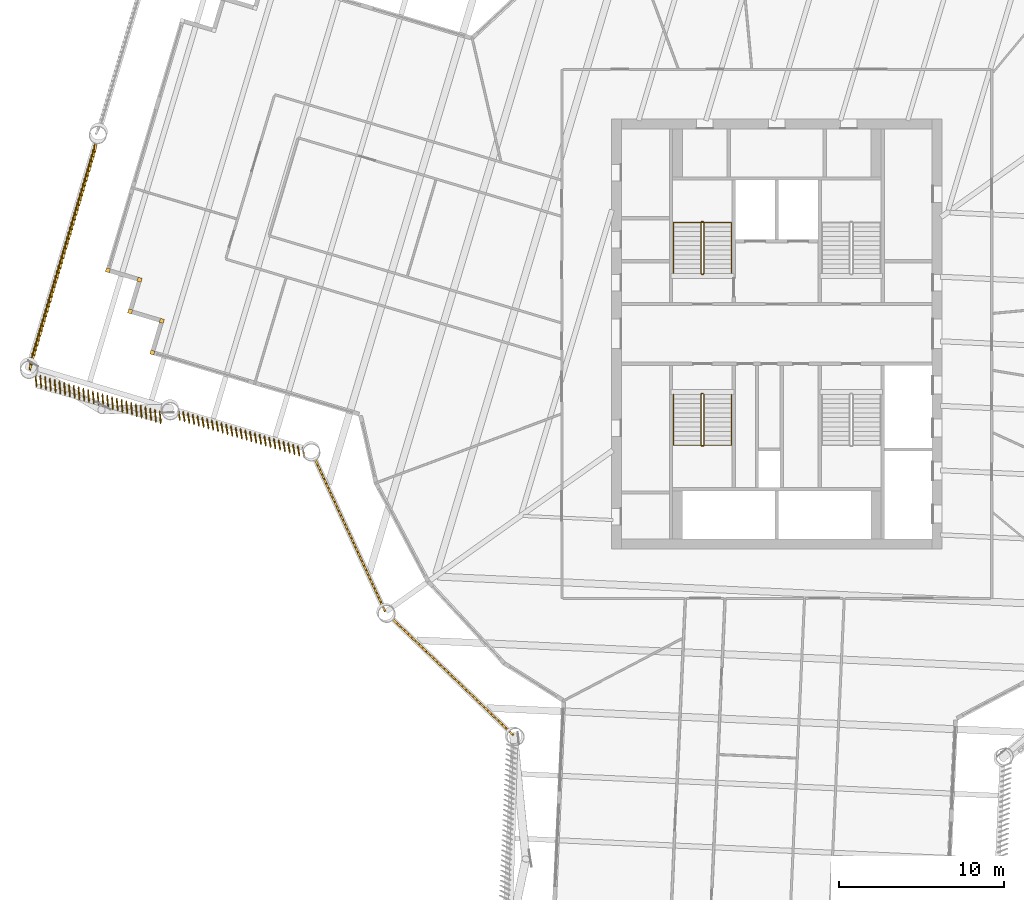
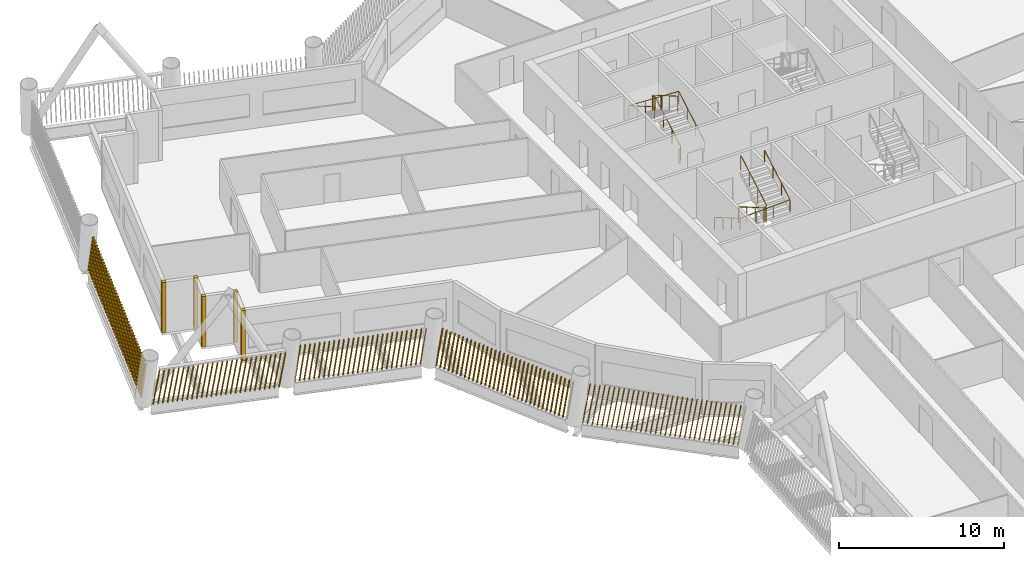
# One storey, part 21 of 24: 10 shading devices, 4 railings.
"""IFC4 building model written with IfcOpenShell, lengths in metres."""

from ifc_helpers import new_model, si_unit, direction, frame, frame_2d, origin, origin_2d, place, context, subcontext, project, spatial, rectangle, circle, composite_profile, extrude, material, type_object, element, save


model = new_model("IFC4")

# Units and contexts
model_context = context("Model", 3, precision=1e-05, world=origin(), true_north=direction((0.0, 1.0)))
body_context = subcontext(model_context, "Body", "Model", "MODEL_VIEW")
ifc_project = project(units=[si_unit("LENGTHUNIT", "METRE"), si_unit("AREAUNIT", "SQUARE_METRE"), si_unit("VOLUMEUNIT", "CUBIC_METRE"), si_unit("PLANEANGLEUNIT", "RADIAN"), si_unit("MASSUNIT", "GRAM", prefix="KILO")], contexts=[model_context])

# Site, building, storey
site_placement = place(None, origin())
site = spatial("IfcSite", under=ifc_project, at=site_placement, CompositionType="ELEMENT")
building_placement = place(site_placement, origin())
building = spatial("IfcBuilding", under=site, at=building_placement, Name="Tarsis Ring Headquarters", CompositionType="ELEMENT")
storey_placement = place(building_placement, frame((0.0, 0.0, 216.0)))
storey = spatial("IfcBuildingStorey", under=building, at=storey_placement, Name="L50", CompositionType="ELEMENT", Elevation=216.0)

# Railings
ifc_material_1 = material(Name="Steel S355", Category="steel")
railing_type_1 = type_object("IfcRailingType", Name="Core stair guard 1100", PredefinedType="GUARDRAIL", material=ifc_material_1)
railing_1_placement = place(storey_placement, frame((-4.5400390625, 3.610107421875, 0.0)))
element("IfcRailing", 1, at=railing_1_placement, inside=storey, type_object=railing_type_1, Name="L50 ST1 stair guard 1", PredefinedType="GUARDRAIL", context=body_context, shape_type="SweptSolid", body=[
    extrude(circle(Radius=0.02392578125, at=origin_2d()), frame((0.0, 0.0, 1.076171875), z_axis=(1.0, 0.0, 0.0), x_axis=(0.0, 1.0, 0.0)), (0.0, 0.0, 1.0), 0.080078125),
    extrude(circle(Radius=0.02392578125, at=origin_2d()), frame((0.080078125, 0.0, 1.076171875), z_axis=(0.282336740067, 0.280959487676, 0.917250092119), x_axis=(-0.705375805398, 0.708833529934, 0.0)), (0.0, 0.0, 1.0), 0.17724609375),
    extrude(circle(Radius=0.02392578125, at=origin_2d()), frame((0.130126953125, 0.0498046875, 1.23876953125), z_axis=(0.0, 0.864920483161, 0.501908913857), x_axis=(-1.0, 0.0, 0.0)), (0.0, 0.0, 1.0), 3.56103515625),
    extrude(circle(Radius=0.02392578125, at=origin_2d()), frame((0.130126953125, 3.1298828125, 3.02587890625), z_axis=(-0.707106781187, 0.707106781187, 0.0), x_axis=(-0.707106781187, -0.707106781187, 0.0)), (0.0, 0.0, 1.0), 0.07080078125),
    extrude(circle(Radius=0.02392578125, at=origin_2d()), frame((0.080078125, 3.179931640625, 3.02587890625), z_axis=(-1.0, 0.0, 0.0), x_axis=(0.0, -1.0, 0.0)), (0.0, 0.0, 1.0), 0.080078125),
    extrude(circle(Radius=0.02392578125, at=origin_2d()), frame((0.0, 3.179931640625, 3.02587890625), z_axis=(-0.282227285176, -0.282227285176, 0.916894497205), x_axis=(0.707106781187, -0.707106781187, 0.0)), (0.0, 0.0, 1.0), 0.17724609375),
    extrude(circle(Radius=0.02392578125, at=origin_2d()), frame((-0.050048828125, 3.1298828125, 3.1884765625), z_axis=(0.0, -0.864920483161, 0.501908913857), x_axis=(1.0, 0.0, 0.0)), (0.0, 0.0, 1.0), 3.56103515625),
    extrude(circle(Radius=0.02099609375, at=origin_2d()), origin(), (0.0, 0.0, 1.0), 1.052001953125),
    extrude(circle(Radius=0.02099609375, at=origin_2d()), frame((0.080078125, 0.0, 0.0)), (0.0, 0.0, 1.0), 1.052001953125),
    extrude(circle(Radius=0.02099609375, at=origin_2d()), frame((0.130126953125, 0.0498046875, 0.16259765625)), (0.0, 0.0, 1.0), 1.052001953125),
    extrude(circle(Radius=0.02099609375, at=origin_2d()), frame((0.130126953125, 1.076416015625, 0.75830078125)), (0.0, 0.0, 1.0), 1.052001953125),
    extrude(circle(Radius=0.02099609375, at=origin_2d()), frame((0.130126953125, 2.103271484375, 1.354248046875)), (0.0, 0.0, 1.0), 1.052001953125),
    extrude(circle(Radius=0.02099609375, at=origin_2d()), frame((0.130126953125, 3.1298828125, 1.949951171875)), (0.0, 0.0, 1.0), 1.052001953125),
    extrude(circle(Radius=0.02099609375, at=origin_2d()), frame((0.080078125, 3.179931640625, 1.949951171875)), (0.0, 0.0, 1.0), 1.052001953125),
    extrude(circle(Radius=0.02099609375, at=origin_2d()), frame((0.0, 3.179931640625, 1.949951171875)), (0.0, 0.0, 1.0), 1.052001953125),
    extrude(circle(Radius=0.02099609375, at=origin_2d()), frame((-0.050048828125, 3.1298828125, 2.112548828125)), (0.0, 0.0, 1.0), 1.052001953125),
    extrude(circle(Radius=0.02099609375, at=origin_2d()), frame((-0.050048828125, 2.103271484375, 2.708251953125)), (0.0, 0.0, 1.0), 1.052001953125),
    extrude(circle(Radius=0.02099609375, at=origin_2d()), frame((-0.050048828125, 1.076416015625, 3.30419921875)), (0.0, 0.0, 1.0), 1.052001953125),
    extrude(circle(Radius=0.02099609375, at=origin_2d()), frame((-0.050048828125, 0.0498046875, 3.89990234375)), (0.0, 0.0, 1.0), 1.052001953125),
])
railing_2_placement = place(storey_placement, frame((-4.4599609375, -3.610107421875, 0.0)))
element("IfcRailing", 2, at=railing_2_placement, inside=storey, type_object=railing_type_1, Name="L50 ST3 stair guard 1", PredefinedType="GUARDRAIL", context=body_context, shape_type="SweptSolid", body=[
    extrude(circle(Radius=0.02392578125, at=origin_2d()), frame((0.0, 0.0, 1.076171875), z_axis=(-1.0, 0.0, 0.0), x_axis=(0.0, -1.0, 0.0)), (0.0, 0.0, 1.0), 0.080078125),
    extrude(circle(Radius=0.02392578125, at=origin_2d()), frame((-0.080078125, 0.0, 1.076171875), z_axis=(-0.282336740067, -0.280959487676, 0.917250092119), x_axis=(0.705375805398, -0.708833529934, 0.0)), (0.0, 0.0, 1.0), 0.17724609375),
    extrude(circle(Radius=0.02392578125, at=origin_2d()), frame((-0.130126953125, -0.0498046875, 1.23876953125), z_axis=(0.0, -0.864920483161, 0.501908913857), x_axis=(1.0, 0.0, 0.0)), (0.0, 0.0, 1.0), 3.56103515625),
    extrude(circle(Radius=0.02392578125, at=origin_2d()), frame((-0.130126953125, -3.1298828125, 3.02587890625), z_axis=(0.707106781187, -0.707106781187, 0.0), x_axis=(0.707106781187, 0.707106781187, 0.0)), (0.0, 0.0, 1.0), 0.07080078125),
    extrude(circle(Radius=0.02392578125, at=origin_2d()), frame((-0.080078125, -3.179931640625, 3.02587890625), z_axis=(1.0, 0.0, 0.0), x_axis=(0.0, 1.0, 0.0)), (0.0, 0.0, 1.0), 0.080078125),
    extrude(circle(Radius=0.02392578125, at=origin_2d()), frame((0.0, -3.179931640625, 3.02587890625), z_axis=(0.282227285176, 0.282227285176, 0.916894497205), x_axis=(-0.707106781187, 0.707106781187, 0.0)), (0.0, 0.0, 1.0), 0.17724609375),
    extrude(circle(Radius=0.02392578125, at=origin_2d()), frame((0.050048828125, -3.1298828125, 3.1884765625), z_axis=(0.0, 0.864920483161, 0.501908913857), x_axis=(-1.0, 0.0, 0.0)), (0.0, 0.0, 1.0), 3.56103515625),
    extrude(circle(Radius=0.02099609375, at=origin_2d()), origin(), (0.0, 0.0, 1.0), 1.052001953125),
    extrude(circle(Radius=0.02099609375, at=origin_2d()), frame((-0.080078125, 0.0, 0.0)), (0.0, 0.0, 1.0), 1.052001953125),
    extrude(circle(Radius=0.02099609375, at=origin_2d()), frame((-0.130126953125, -0.0498046875, 0.16259765625)), (0.0, 0.0, 1.0), 1.052001953125),
    extrude(circle(Radius=0.02099609375, at=origin_2d()), frame((-0.130126953125, -1.076416015625, 0.75830078125)), (0.0, 0.0, 1.0), 1.052001953125),
    extrude(circle(Radius=0.02099609375, at=origin_2d()), frame((-0.130126953125, -2.103271484375, 1.354248046875)), (0.0, 0.0, 1.0), 1.052001953125),
    extrude(circle(Radius=0.02099609375, at=origin_2d()), frame((-0.130126953125, -3.1298828125, 1.949951171875)), (0.0, 0.0, 1.0), 1.052001953125),
    extrude(circle(Radius=0.02099609375, at=origin_2d()), frame((-0.080078125, -3.179931640625, 1.949951171875)), (0.0, 0.0, 1.0), 1.052001953125),
    extrude(circle(Radius=0.02099609375, at=origin_2d()), frame((0.0, -3.179931640625, 1.949951171875)), (0.0, 0.0, 1.0), 1.052001953125),
    extrude(circle(Radius=0.02099609375, at=origin_2d()), frame((0.050048828125, -3.1298828125, 2.112548828125)), (0.0, 0.0, 1.0), 1.052001953125),
    extrude(circle(Radius=0.02099609375, at=origin_2d()), frame((0.050048828125, -2.103271484375, 2.708251953125)), (0.0, 0.0, 1.0), 1.052001953125),
    extrude(circle(Radius=0.02099609375, at=origin_2d()), frame((0.050048828125, -1.076416015625, 3.30419921875)), (0.0, 0.0, 1.0), 1.052001953125),
    extrude(circle(Radius=0.02099609375, at=origin_2d()), frame((0.050048828125, -0.0498046875, 3.89990234375)), (0.0, 0.0, 1.0), 1.052001953125),
])
railing_type_2 = type_object("IfcRailingType", Name="Core stair handrail 900", PredefinedType="HANDRAIL", material=ifc_material_1)
railing_3_placement = place(storey_placement, frame((-2.75, 3.659912109375, 0.16259765625)))
element("IfcRailing", 3, at=railing_3_placement, inside=storey, type_object=railing_type_2, Name="L50 ST1 stair handrail 1", PredefinedType="HANDRAIL", context=body_context, shape_type="SweptSolid", body=[
    extrude(circle(Radius=0.02392578125, at=origin_2d()), frame((0.0, 0.0, 0.8759765625), z_axis=(0.0, 0.864920483161, 0.501908913857), x_axis=(-1.0, 0.0, 0.0)), (0.0, 0.0, 1.0), 3.56103515625),
    extrude(circle(Radius=0.02392578125, at=origin_2d()), frame((0.0, 3.080078125, 2.6630859375), z_axis=(-0.998922641604, 0.0, 0.046406422943), x_axis=(0.0, -1.0, 0.0)), (0.0, 0.0, 1.0), 3.503662109375),
    extrude(circle(Radius=0.02392578125, at=origin_2d()), frame((-3.5, 3.080078125, 2.82568359375), z_axis=(0.0, -0.864920483161, 0.501908913857), x_axis=(1.0, 0.0, 0.0)), (0.0, 0.0, 1.0), 3.56103515625),
    extrude(circle(Radius=0.02099609375, at=origin_2d()), origin(), (0.0, 0.0, 1.0), 0.851806640625),
    extrude(circle(Radius=0.02099609375, at=origin_2d()), frame((0.0, 1.026611328125, 0.595703125)), (0.0, 0.0, 1.0), 0.851806640625),
    extrude(circle(Radius=0.02099609375, at=origin_2d()), frame((0.0, 2.053466796875, 1.191650390625)), (0.0, 0.0, 1.0), 0.851806640625),
    extrude(circle(Radius=0.02099609375, at=origin_2d()), frame((0.0, 3.080078125, 1.787353515625)), (0.0, 0.0, 1.0), 0.851806640625),
    extrude(circle(Radius=0.02099609375, at=origin_2d()), frame((-1.166748046875, 3.080078125, 1.841552734375)), (0.0, 0.0, 1.0), 0.851806640625),
    extrude(circle(Radius=0.02099609375, at=origin_2d()), frame((-2.333251953125, 3.080078125, 1.895751953125)), (0.0, 0.0, 1.0), 0.851806640625),
    extrude(circle(Radius=0.02099609375, at=origin_2d()), frame((-3.5, 3.080078125, 1.949951171875)), (0.0, 0.0, 1.0), 0.851806640625),
    extrude(circle(Radius=0.02099609375, at=origin_2d()), frame((-3.5, 2.053466796875, 2.545654296875)), (0.0, 0.0, 1.0), 0.851806640625),
    extrude(circle(Radius=0.02099609375, at=origin_2d()), frame((-3.5, 1.026611328125, 3.1416015625)), (0.0, 0.0, 1.0), 0.851806640625),
    extrude(circle(Radius=0.02099609375, at=origin_2d()), frame((-3.5, 0.0, 3.7373046875)), (0.0, 0.0, 1.0), 0.851806640625),
])
railing_4_placement = place(storey_placement, frame((-6.25, -3.659912109375, 0.16259765625)))
element("IfcRailing", 4, at=railing_4_placement, inside=storey, type_object=railing_type_2, Name="L50 ST3 stair handrail 1", PredefinedType="HANDRAIL", context=body_context, shape_type="SweptSolid", body=[
    extrude(circle(Radius=0.02392578125, at=origin_2d()), frame((0.0, 0.0, 0.8759765625), z_axis=(0.0, -0.864920483161, 0.501908913857), x_axis=(1.0, 0.0, 0.0)), (0.0, 0.0, 1.0), 3.56103515625),
    extrude(circle(Radius=0.02392578125, at=origin_2d()), frame((0.0, -3.080078125, 2.6630859375), z_axis=(0.998922641604, 0.0, 0.046406422943), x_axis=(0.0, 1.0, 0.0)), (0.0, 0.0, 1.0), 3.503662109375),
    extrude(circle(Radius=0.02392578125, at=origin_2d()), frame((3.5, -3.080078125, 2.82568359375), z_axis=(0.0, 0.864920483161, 0.501908913857), x_axis=(-1.0, 0.0, 0.0)), (0.0, 0.0, 1.0), 3.56103515625),
    extrude(circle(Radius=0.02099609375, at=origin_2d()), origin(), (0.0, 0.0, 1.0), 0.851806640625),
    extrude(circle(Radius=0.02099609375, at=origin_2d()), frame((0.0, -1.026611328125, 0.595703125)), (0.0, 0.0, 1.0), 0.851806640625),
    extrude(circle(Radius=0.02099609375, at=origin_2d()), frame((0.0, -2.053466796875, 1.191650390625)), (0.0, 0.0, 1.0), 0.851806640625),
    extrude(circle(Radius=0.02099609375, at=origin_2d()), frame((0.0, -3.080078125, 1.787353515625)), (0.0, 0.0, 1.0), 0.851806640625),
    extrude(circle(Radius=0.02099609375, at=origin_2d()), frame((1.166748046875, -3.080078125, 1.841552734375)), (0.0, 0.0, 1.0), 0.851806640625),
    extrude(circle(Radius=0.02099609375, at=origin_2d()), frame((2.333251953125, -3.080078125, 1.895751953125)), (0.0, 0.0, 1.0), 0.851806640625),
    extrude(circle(Radius=0.02099609375, at=origin_2d()), frame((3.5, -3.080078125, 1.949951171875)), (0.0, 0.0, 1.0), 0.851806640625),
    extrude(circle(Radius=0.02099609375, at=origin_2d()), frame((3.5, -2.053466796875, 2.545654296875)), (0.0, 0.0, 1.0), 0.851806640625),
    extrude(circle(Radius=0.02099609375, at=origin_2d()), frame((3.5, -1.026611328125, 3.1416015625)), (0.0, 0.0, 1.0), 0.851806640625),
    extrude(circle(Radius=0.02099609375, at=origin_2d()), frame((3.5, 0.0, 3.7373046875)), (0.0, 0.0, 1.0), 0.851806640625),
])

# Shading devices
ifc_material_2 = material(Name="Terracotta baguette", Category="masonry")
shading_device_type_1 = type_object("IfcShadingDeviceType", Name="Terracotta baguette screen", PredefinedType="USERDEFINED", material=ifc_material_2)
shading_device_1_placement = place(storey_placement, frame((-23.318115234375, -17.174072265625, 0.0), z_axis=(0.0, 0.0, 1.0), x_axis=(0.720374765771, -0.693591505309, 0.0)))
element("IfcShadingDevice", 5, at=shading_device_1_placement, inside=storey, type_object=shading_device_type_1, Name="Baguette screen L50-00", ObjectType="Terracotta baguette screen", PredefinedType="USERDEFINED", context=body_context, shape_type="SweptSolid", body=[
    extrude(composite_profile([rectangle(XDim=0.06005859375, YDim=0.1201171875, at=frame_2d((0.030029296875, 0.0))), rectangle(XDim=0.06005859375, YDim=0.1201171875, at=frame_2d((0.33349609375, 0.0))), rectangle(XDim=0.06005859375, YDim=0.1201171875, at=frame_2d((0.636962890625, 0.0))), rectangle(XDim=0.06005859375, YDim=0.1201171875, at=frame_2d((0.9404296875, 0.0))), rectangle(XDim=0.06005859375, YDim=0.1201171875, at=frame_2d((1.243896484375, 0.0))), rectangle(XDim=0.06005859375, YDim=0.1201171875, at=frame_2d((1.54736328125, 0.0))), rectangle(XDim=0.06005859375, YDim=0.1201171875, at=frame_2d((1.85107421875, 0.0))), rectangle(XDim=0.06005859375, YDim=0.1201171875, at=frame_2d((2.154541015625, 0.0))), rectangle(XDim=0.06005859375, YDim=0.1201171875, at=frame_2d((2.4580078125, 0.0))), rectangle(XDim=0.06005859375, YDim=0.1201171875, at=frame_2d((2.761474609375, 0.0))), rectangle(XDim=0.06005859375, YDim=0.1201171875, at=frame_2d((3.06494140625, 0.0))), rectangle(XDim=0.06005859375, YDim=0.1201171875, at=frame_2d((3.368408203125, 0.0))), rectangle(XDim=0.06005859375, YDim=0.1201171875, at=frame_2d((3.671875, 0.0))), rectangle(XDim=0.06005859375, YDim=0.1201171875, at=frame_2d((3.975341796875, 0.0))), rectangle(XDim=0.06005859375, YDim=0.1201171875, at=frame_2d((4.27880859375, 0.0))), rectangle(XDim=0.06005859375, YDim=0.1201171875, at=frame_2d((4.582275390625, 0.0))), rectangle(XDim=0.06005859375, YDim=0.1201171875, at=frame_2d((4.8857421875, 0.0))), rectangle(XDim=0.06005859375, YDim=0.1201171875, at=frame_2d((5.189453125, 0.0))), rectangle(XDim=0.06005859375, YDim=0.1201171875, at=frame_2d((5.492919921875, 0.0))), rectangle(XDim=0.06005859375, YDim=0.1201171875, at=frame_2d((5.79638671875, 0.0))), rectangle(XDim=0.06005859375, YDim=0.1201171875, at=frame_2d((6.099853515625, 0.0))), rectangle(XDim=0.06005859375, YDim=0.1201171875, at=frame_2d((6.4033203125, 0.0))), rectangle(XDim=0.06005859375, YDim=0.1201171875, at=frame_2d((6.706787109375, 0.0))), rectangle(XDim=0.06005859375, YDim=0.1201171875, at=frame_2d((7.01025390625, 0.0))), rectangle(XDim=0.06005859375, YDim=0.1201171875, at=frame_2d((7.313720703125, 0.0))), rectangle(XDim=0.06005859375, YDim=0.1201171875, at=frame_2d((7.6171875, 0.0))), rectangle(XDim=0.06005859375, YDim=0.1201171875, at=frame_2d((7.920654296875, 0.0))), rectangle(XDim=0.06005859375, YDim=0.1201171875, at=frame_2d((8.224365234375, 0.0))), rectangle(XDim=0.06005859375, YDim=0.1201171875, at=frame_2d((8.52783203125, 0.0))), rectangle(XDim=0.06005859375, YDim=0.1201171875, at=frame_2d((8.831298828125, 0.0))), rectangle(XDim=0.06005859375, YDim=0.1201171875, at=frame_2d((9.134765625, 0.0))), rectangle(XDim=0.06005859375, YDim=0.1201171875, at=frame_2d((9.438232421875, 0.0))), rectangle(XDim=0.06005859375, YDim=0.1201171875, at=frame_2d((9.74169921875, 0.0)))]), origin(), (0.16003311564, 0.001340156063, 0.987110736382), 2.988525390625),
])
shading_device_2_placement = place(storey_placement, frame((-41.158935546875, 11.748291015625, 0.0), z_axis=(0.0, 0.0, 1.0), x_axis=(-0.285696594427, -0.958319327731, 0.0)))
element("IfcShadingDevice", 6, at=shading_device_2_placement, inside=storey, type_object=shading_device_type_1, Name="Baguette screen L50-18", ObjectType="Terracotta baguette screen", PredefinedType="USERDEFINED", context=body_context, shape_type="SweptSolid", body=[
    extrude(composite_profile([rectangle(XDim=0.06005859375, YDim=0.1201171875, at=frame_2d((0.030029296875, 0.0))), rectangle(XDim=0.06005859375, YDim=0.1201171875, at=frame_2d((0.33544921875, 0.0))), rectangle(XDim=0.06005859375, YDim=0.1201171875, at=frame_2d((0.640625, 0.0))), rectangle(XDim=0.06005859375, YDim=0.1201171875, at=frame_2d((0.946044921875, 0.0))), rectangle(XDim=0.06005859375, YDim=0.1201171875, at=frame_2d((1.25146484375, 0.0))), rectangle(XDim=0.06005859375, YDim=0.1201171875, at=frame_2d((1.556640625, 0.0))), rectangle(XDim=0.06005859375, YDim=0.1201171875, at=frame_2d((1.862060546875, 0.0))), rectangle(XDim=0.06005859375, YDim=0.1201171875, at=frame_2d((2.16748046875, 0.0))), rectangle(XDim=0.06005859375, YDim=0.1201171875, at=frame_2d((2.47265625, 0.0))), rectangle(XDim=0.06005859375, YDim=0.1201171875, at=frame_2d((2.778076171875, 0.0))), rectangle(XDim=0.06005859375, YDim=0.1201171875, at=frame_2d((3.08349609375, 0.0))), rectangle(XDim=0.06005859375, YDim=0.1201171875, at=frame_2d((3.388671875, 0.0))), rectangle(XDim=0.06005859375, YDim=0.1201171875, at=frame_2d((3.694091796875, 0.0))), rectangle(XDim=0.06005859375, YDim=0.1201171875, at=frame_2d((3.99951171875, 0.0))), rectangle(XDim=0.06005859375, YDim=0.1201171875, at=frame_2d((4.3046875, 0.0))), rectangle(XDim=0.06005859375, YDim=0.1201171875, at=frame_2d((4.610107421875, 0.0))), rectangle(XDim=0.06005859375, YDim=0.1201171875, at=frame_2d((4.91552734375, 0.0))), rectangle(XDim=0.06005859375, YDim=0.1201171875, at=frame_2d((5.220703125, 0.0))), rectangle(XDim=0.06005859375, YDim=0.1201171875, at=frame_2d((5.526123046875, 0.0))), rectangle(XDim=0.06005859375, YDim=0.1201171875, at=frame_2d((5.83154296875, 0.0))), rectangle(XDim=0.06005859375, YDim=0.1201171875, at=frame_2d((6.13671875, 0.0))), rectangle(XDim=0.06005859375, YDim=0.1201171875, at=frame_2d((6.442138671875, 0.0))), rectangle(XDim=0.06005859375, YDim=0.1201171875, at=frame_2d((6.74755859375, 0.0))), rectangle(XDim=0.06005859375, YDim=0.1201171875, at=frame_2d((7.052734375, 0.0))), rectangle(XDim=0.06005859375, YDim=0.1201171875, at=frame_2d((7.358154296875, 0.0))), rectangle(XDim=0.06005859375, YDim=0.1201171875, at=frame_2d((7.66357421875, 0.0))), rectangle(XDim=0.06005859375, YDim=0.1201171875, at=frame_2d((7.96875, 0.0))), rectangle(XDim=0.06005859375, YDim=0.1201171875, at=frame_2d((8.274169921875, 0.0))), rectangle(XDim=0.06005859375, YDim=0.1201171875, at=frame_2d((8.57958984375, 0.0))), rectangle(XDim=0.06005859375, YDim=0.1201171875, at=frame_2d((8.884765625, 0.0))), rectangle(XDim=0.06005859375, YDim=0.1201171875, at=frame_2d((9.190185546875, 0.0))), rectangle(XDim=0.06005859375, YDim=0.1201171875, at=frame_2d((9.49560546875, 0.0))), rectangle(XDim=0.06005859375, YDim=0.1201171875, at=frame_2d((9.80078125, 0.0))), rectangle(XDim=0.06005859375, YDim=0.1201171875, at=frame_2d((10.106201171875, 0.0))), rectangle(XDim=0.06005859375, YDim=0.1201171875, at=frame_2d((10.41162109375, 0.0))), rectangle(XDim=0.06005859375, YDim=0.1201171875, at=frame_2d((10.716796875, 0.0))), rectangle(XDim=0.06005859375, YDim=0.1201171875, at=frame_2d((11.022216796875, 0.0))), rectangle(XDim=0.06005859375, YDim=0.1201171875, at=frame_2d((11.32763671875, 0.0))), rectangle(XDim=0.06005859375, YDim=0.1201171875, at=frame_2d((11.6328125, 0.0))), rectangle(XDim=0.06005859375, YDim=0.1201171875, at=frame_2d((11.938232421875, 0.0))), rectangle(XDim=0.06005859375, YDim=0.1201171875, at=frame_2d((12.24365234375, 0.0))), rectangle(XDim=0.06005859375, YDim=0.1201171875, at=frame_2d((12.548828125, 0.0))), rectangle(XDim=0.06005859375, YDim=0.1201171875, at=frame_2d((12.854248046875, 0.0))), rectangle(XDim=0.06005859375, YDim=0.1201171875, at=frame_2d((13.15966796875, 0.0))), rectangle(XDim=0.06005859375, YDim=0.1201171875, at=frame_2d((13.46484375, 0.0))), rectangle(XDim=0.06005859375, YDim=0.1201171875, at=frame_2d((13.770263671875, 0.0)))]), origin(), (0.235666210271, 0.04278463556, 0.970891812869), 3.038330078125),
])
shading_device_3_placement = place(storey_placement, frame((-44.872314453125, -2.4580078125, 0.0), z_axis=(0.0, 0.0, 1.0), x_axis=(0.958321747459, -0.285692217382, 0.0)))
element("IfcShadingDevice", 7, at=shading_device_3_placement, inside=storey, type_object=shading_device_type_1, Name="Baguette screen L50-19", ObjectType="Terracotta baguette screen", PredefinedType="USERDEFINED", context=body_context, shape_type="SweptSolid", body=[
    extrude(composite_profile([rectangle(XDim=0.06005859375, YDim=0.1201171875, at=frame_2d((0.030029296875, 0.0))), rectangle(XDim=0.06005859375, YDim=0.1201171875, at=frame_2d((0.33154296875, 0.0))), rectangle(XDim=0.06005859375, YDim=0.1201171875, at=frame_2d((0.63330078125, 0.0))), rectangle(XDim=0.06005859375, YDim=0.1201171875, at=frame_2d((0.934814453125, 0.0))), rectangle(XDim=0.06005859375, YDim=0.1201171875, at=frame_2d((1.236572265625, 0.0))), rectangle(XDim=0.06005859375, YDim=0.1201171875, at=frame_2d((1.5380859375, 0.0))), rectangle(XDim=0.06005859375, YDim=0.1201171875, at=frame_2d((1.83984375, 0.0))), rectangle(XDim=0.06005859375, YDim=0.1201171875, at=frame_2d((2.141357421875, 0.0))), rectangle(XDim=0.06005859375, YDim=0.1201171875, at=frame_2d((2.443115234375, 0.0))), rectangle(XDim=0.06005859375, YDim=0.1201171875, at=frame_2d((2.74462890625, 0.0))), rectangle(XDim=0.06005859375, YDim=0.1201171875, at=frame_2d((3.04638671875, 0.0))), rectangle(XDim=0.06005859375, YDim=0.1201171875, at=frame_2d((3.347900390625, 0.0))), rectangle(XDim=0.06005859375, YDim=0.1201171875, at=frame_2d((3.649658203125, 0.0))), rectangle(XDim=0.06005859375, YDim=0.1201171875, at=frame_2d((3.951171875, 0.0))), rectangle(XDim=0.06005859375, YDim=0.1201171875, at=frame_2d((4.252685546875, 0.0))), rectangle(XDim=0.06005859375, YDim=0.1201171875, at=frame_2d((4.554443359375, 0.0))), rectangle(XDim=0.06005859375, YDim=0.1201171875, at=frame_2d((4.85595703125, 0.0))), rectangle(XDim=0.06005859375, YDim=0.1201171875, at=frame_2d((5.15771484375, 0.0))), rectangle(XDim=0.06005859375, YDim=0.1201171875, at=frame_2d((5.459228515625, 0.0))), rectangle(XDim=0.06005859375, YDim=0.1201171875, at=frame_2d((5.760986328125, 0.0))), rectangle(XDim=0.06005859375, YDim=0.1201171875, at=frame_2d((6.0625, 0.0))), rectangle(XDim=0.06005859375, YDim=0.1201171875, at=frame_2d((6.3642578125, 0.0))), rectangle(XDim=0.06005859375, YDim=0.1201171875, at=frame_2d((6.665771484375, 0.0))), rectangle(XDim=0.06005859375, YDim=0.1201171875, at=frame_2d((6.967529296875, 0.0))), rectangle(XDim=0.06005859375, YDim=0.1201171875, at=frame_2d((7.26904296875, 0.0))), rectangle(XDim=0.06005859375, YDim=0.1201171875, at=frame_2d((7.57080078125, 0.0))), rectangle(XDim=0.06005859375, YDim=0.1201171875, at=frame_2d((7.872314453125, 0.0)))]), origin(), (0.08569334204, -0.211360559425, 0.973644372987), 3.02978515625),
])
shading_device_4_placement = place(storey_placement, frame((-36.234130859375, -4.641845703125, 0.0), z_axis=(0.0, 0.0, 1.0), x_axis=(0.958323035096, -0.285683391003, 0.0)))
element("IfcShadingDevice", 8, at=shading_device_4_placement, inside=storey, type_object=shading_device_type_1, Name="Baguette screen L50-20", ObjectType="Terracotta baguette screen", PredefinedType="USERDEFINED", context=body_context, shape_type="SweptSolid", body=[
    extrude(composite_profile([rectangle(XDim=0.06005859375, YDim=0.1201171875, at=frame_2d((0.030029296875, 0.0))), rectangle(XDim=0.06005859375, YDim=0.1201171875, at=frame_2d((0.33154296875, 0.0))), rectangle(XDim=0.06005859375, YDim=0.1201171875, at=frame_2d((0.63330078125, 0.0))), rectangle(XDim=0.06005859375, YDim=0.1201171875, at=frame_2d((0.934814453125, 0.0))), rectangle(XDim=0.06005859375, YDim=0.1201171875, at=frame_2d((1.236572265625, 0.0))), rectangle(XDim=0.06005859375, YDim=0.1201171875, at=frame_2d((1.5380859375, 0.0))), rectangle(XDim=0.06005859375, YDim=0.1201171875, at=frame_2d((1.83984375, 0.0))), rectangle(XDim=0.06005859375, YDim=0.1201171875, at=frame_2d((2.141357421875, 0.0))), rectangle(XDim=0.06005859375, YDim=0.1201171875, at=frame_2d((2.443115234375, 0.0))), rectangle(XDim=0.06005859375, YDim=0.1201171875, at=frame_2d((2.74462890625, 0.0))), rectangle(XDim=0.06005859375, YDim=0.1201171875, at=frame_2d((3.04638671875, 0.0))), rectangle(XDim=0.06005859375, YDim=0.1201171875, at=frame_2d((3.347900390625, 0.0))), rectangle(XDim=0.06005859375, YDim=0.1201171875, at=frame_2d((3.649658203125, 0.0))), rectangle(XDim=0.06005859375, YDim=0.1201171875, at=frame_2d((3.951171875, 0.0))), rectangle(XDim=0.06005859375, YDim=0.1201171875, at=frame_2d((4.252685546875, 0.0))), rectangle(XDim=0.06005859375, YDim=0.1201171875, at=frame_2d((4.554443359375, 0.0))), rectangle(XDim=0.06005859375, YDim=0.1201171875, at=frame_2d((4.85595703125, 0.0))), rectangle(XDim=0.06005859375, YDim=0.1201171875, at=frame_2d((5.15771484375, 0.0))), rectangle(XDim=0.06005859375, YDim=0.1201171875, at=frame_2d((5.459228515625, 0.0))), rectangle(XDim=0.06005859375, YDim=0.1201171875, at=frame_2d((5.760986328125, 0.0))), rectangle(XDim=0.06005859375, YDim=0.1201171875, at=frame_2d((6.0625, 0.0))), rectangle(XDim=0.06005859375, YDim=0.1201171875, at=frame_2d((6.3642578125, 0.0))), rectangle(XDim=0.06005859375, YDim=0.1201171875, at=frame_2d((6.665771484375, 0.0))), rectangle(XDim=0.06005859375, YDim=0.1201171875, at=frame_2d((6.967529296875, 0.0))), rectangle(XDim=0.06005859375, YDim=0.1201171875, at=frame_2d((7.26904296875, 0.0))), rectangle(XDim=0.06005859375, YDim=0.1201171875, at=frame_2d((7.57080078125, 0.0))), rectangle(XDim=0.06005859375, YDim=0.1201171875, at=frame_2d((7.872314453125, 0.0)))]), origin(), (0.083998423383, -0.163696497724, 0.982928136489), 3.001220703125),
])
shading_device_5_placement = place(storey_placement, frame((-27.972900390625, -7.496337890625, 0.0), z_axis=(0.0, 0.0, 1.0), x_axis=(0.418113678951, -0.908407245472, 0.0)))
element("IfcShadingDevice", 9, at=shading_device_5_placement, inside=storey, type_object=shading_device_type_1, Name="Baguette screen L50-21", ObjectType="Terracotta baguette screen", PredefinedType="USERDEFINED", context=body_context, shape_type="SweptSolid", body=[
    extrude(composite_profile([rectangle(XDim=0.06005859375, YDim=0.1201171875, at=frame_2d((0.030029296875, 0.0))), rectangle(XDim=0.06005859375, YDim=0.1201171875, at=frame_2d((0.33349609375, 0.0))), rectangle(XDim=0.06005859375, YDim=0.1201171875, at=frame_2d((0.636962890625, 0.0))), rectangle(XDim=0.06005859375, YDim=0.1201171875, at=frame_2d((0.9404296875, 0.0))), rectangle(XDim=0.06005859375, YDim=0.1201171875, at=frame_2d((1.243896484375, 0.0))), rectangle(XDim=0.06005859375, YDim=0.1201171875, at=frame_2d((1.54736328125, 0.0))), rectangle(XDim=0.06005859375, YDim=0.1201171875, at=frame_2d((1.85107421875, 0.0))), rectangle(XDim=0.06005859375, YDim=0.1201171875, at=frame_2d((2.154541015625, 0.0))), rectangle(XDim=0.06005859375, YDim=0.1201171875, at=frame_2d((2.4580078125, 0.0))), rectangle(XDim=0.06005859375, YDim=0.1201171875, at=frame_2d((2.761474609375, 0.0))), rectangle(XDim=0.06005859375, YDim=0.1201171875, at=frame_2d((3.06494140625, 0.0))), rectangle(XDim=0.06005859375, YDim=0.1201171875, at=frame_2d((3.368408203125, 0.0))), rectangle(XDim=0.06005859375, YDim=0.1201171875, at=frame_2d((3.671875, 0.0))), rectangle(XDim=0.06005859375, YDim=0.1201171875, at=frame_2d((3.975341796875, 0.0))), rectangle(XDim=0.06005859375, YDim=0.1201171875, at=frame_2d((4.27880859375, 0.0))), rectangle(XDim=0.06005859375, YDim=0.1201171875, at=frame_2d((4.582275390625, 0.0))), rectangle(XDim=0.06005859375, YDim=0.1201171875, at=frame_2d((4.8857421875, 0.0))), rectangle(XDim=0.06005859375, YDim=0.1201171875, at=frame_2d((5.189453125, 0.0))), rectangle(XDim=0.06005859375, YDim=0.1201171875, at=frame_2d((5.492919921875, 0.0))), rectangle(XDim=0.06005859375, YDim=0.1201171875, at=frame_2d((5.79638671875, 0.0))), rectangle(XDim=0.06005859375, YDim=0.1201171875, at=frame_2d((6.099853515625, 0.0))), rectangle(XDim=0.06005859375, YDim=0.1201171875, at=frame_2d((6.4033203125, 0.0))), rectangle(XDim=0.06005859375, YDim=0.1201171875, at=frame_2d((6.706787109375, 0.0))), rectangle(XDim=0.06005859375, YDim=0.1201171875, at=frame_2d((7.01025390625, 0.0))), rectangle(XDim=0.06005859375, YDim=0.1201171875, at=frame_2d((7.313720703125, 0.0))), rectangle(XDim=0.06005859375, YDim=0.1201171875, at=frame_2d((7.6171875, 0.0))), rectangle(XDim=0.06005859375, YDim=0.1201171875, at=frame_2d((7.920654296875, 0.0))), rectangle(XDim=0.06005859375, YDim=0.1201171875, at=frame_2d((8.224365234375, 0.0))), rectangle(XDim=0.06005859375, YDim=0.1201171875, at=frame_2d((8.52783203125, 0.0))), rectangle(XDim=0.06005859375, YDim=0.1201171875, at=frame_2d((8.831298828125, 0.0))), rectangle(XDim=0.06005859375, YDim=0.1201171875, at=frame_2d((9.134765625, 0.0))), rectangle(XDim=0.06005859375, YDim=0.1201171875, at=frame_2d((9.438232421875, 0.0))), rectangle(XDim=0.06005859375, YDim=0.1201171875, at=frame_2d((9.74169921875, 0.0)))]), origin(), (0.160034058595, 0.0013400118, 0.987110583703), 2.988525390625),
])
shading_device_type_2 = type_object("IfcShadingDeviceType", Name="Terracotta corner baguette 250x250", PredefinedType="USERDEFINED", material=ifc_material_2)
for number, where, z_axis, x_axis, name in (
    (10, (-37.7724609375, -1.131103515625, 0.0), (0.0, 0.0, 1.0), (-0.285688501212, -0.958322534576, 0.0), "Corner baguette L50-01"),
    (11, (-40.462890625, 3.844970703125, 0.0), (0.0, 0.0, 1.0), (-0.285688384131, -0.958322569479, 0.0), "Corner baguette L50-37"),
    (12, (-38.546142578125, 3.273681640625, 0.0), (0.0, 0.0, 1.0), (0.958322669203, -0.285688049613, 0.0), "Corner baguette L50-38"),
    (13, (-39.11767578125, 1.35693359375, 0.0), (0.0, 0.0, 1.0), (-0.285688367405, -0.958322574465, 0.0), "Corner baguette L50-39"),
    (14, (-37.200927734375, 0.78564453125, 0.0), (0.0, 0.0, 1.0), (0.958322574465, -0.285688367405, 0.0), "Corner baguette L50-40"),
):
    element("IfcShadingDevice", number, at=place(storey_placement, frame(where, z_axis=z_axis, x_axis=x_axis)), inside=storey, type_object=shading_device_type_2, Name=name, ObjectType="Terracotta corner baguette", PredefinedType="USERDEFINED", context=body_context, shape_type="SweptSolid", body=[
        extrude(rectangle(XDim=0.25, YDim=0.25, at=origin_2d()), origin(), (0.0, 0.0, 1.0), 3.739990234375),
    ])

save(model, "model.ifc")
